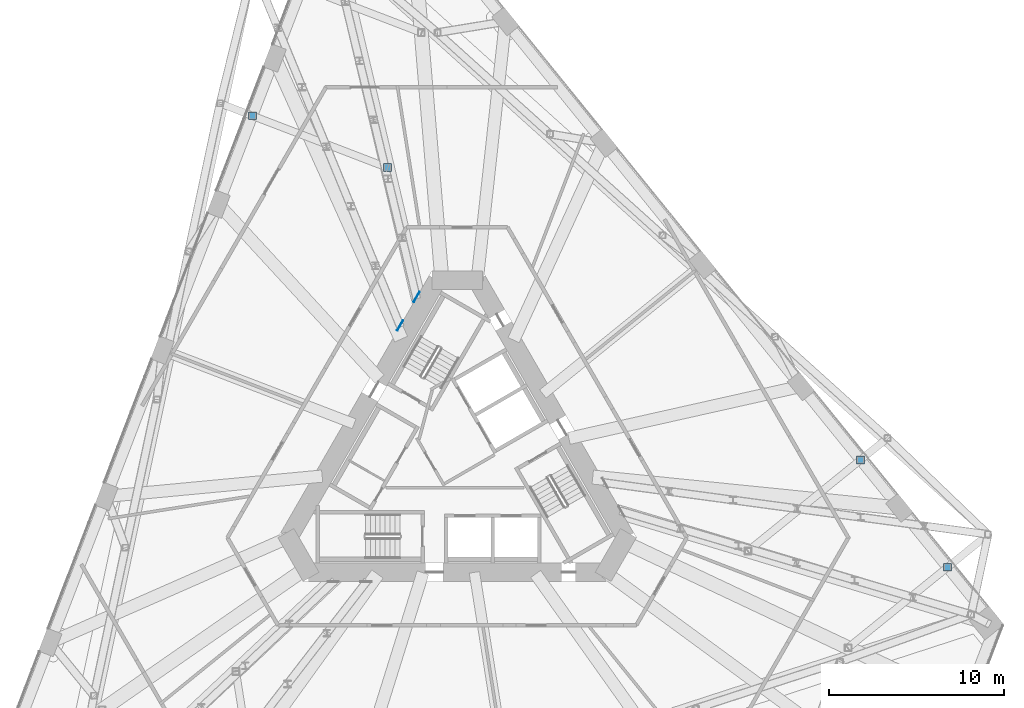
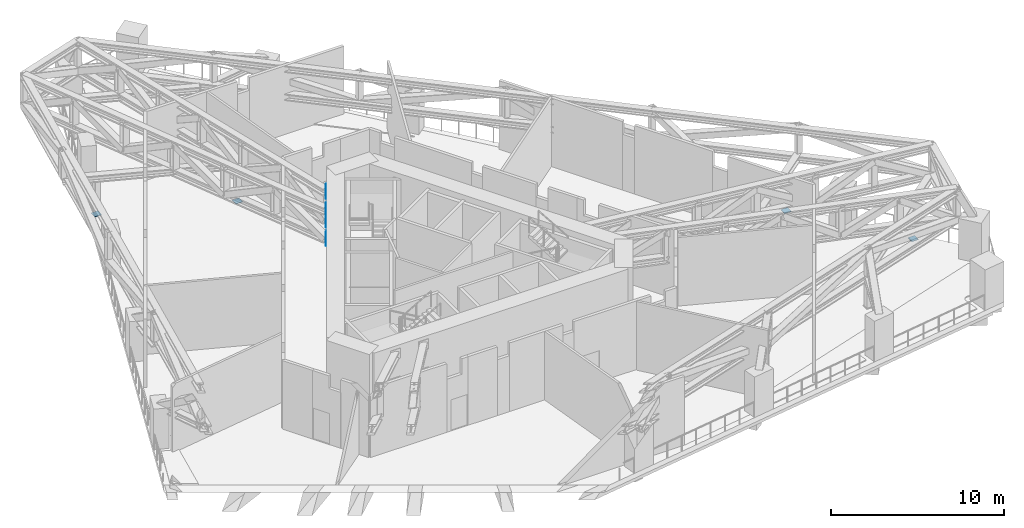
# One storey, part 15 of 20: 8 discrete accessories.
"""IFC4 building model written with IfcOpenShell, lengths in metres."""

from ifc_helpers import new_model, si_unit, direction, frame, origin, origin_2d, place, context, subcontext, project, spatial, rectangle, extrude, material, layer, layer_set, type_object, element, save


model = new_model("IFC4")

# Units and contexts
model_context = context("Model", 3, precision=1e-05, world=origin(), true_north=direction((0.0, 1.0)))
body_context = subcontext(model_context, "Body", "Model", "MODEL_VIEW")
ifc_project = project(units=[si_unit("LENGTHUNIT", "METRE"), si_unit("AREAUNIT", "SQUARE_METRE"), si_unit("VOLUMEUNIT", "CUBIC_METRE"), si_unit("PLANEANGLEUNIT", "RADIAN"), si_unit("MASSUNIT", "GRAM", prefix="KILO")], contexts=[model_context])

# Site, building, storey
site_placement = place(None, origin())
site = spatial("IfcSite", under=ifc_project, at=site_placement, CompositionType="ELEMENT")
building_placement = place(site_placement, origin())
building = spatial("IfcBuilding", under=site, at=building_placement, Name="Tramontana Tower", CompositionType="ELEMENT")
storey_placement = place(building_placement, frame((0.0, 0.0, 83.199951171875)))
storey = spatial("IfcBuildingStorey", under=building, at=storey_placement, Name="L18", CompositionType="ELEMENT", Elevation=83.199951171875)

# Discrete accessories
ifc_material_1 = material(Name="Steel ASTM A572 Grade 50", Category="steel")
ifc_layer_1 = layer(ifc_material_1, 0.0400390625)
ifc_layer_set_1 = layer_set([ifc_layer_1], Name="Base plate 450X450X40")
discrete_accessory_type_1 = type_object("IfcDiscreteAccessoryType", Name="Base plate 450X450X40", PredefinedType="ANCHORPLATE", material=ifc_layer_set_1)
for number, where, z_axis, x_axis, name in (
    (1, (-11.704345703125, 19.87646484375, 0.0), (0.0, 0.0, 1.0), (1.0, 0.0, 0.0), "Transfer truss post base plate C2F01.1"),
    (2, (-3.98095703125, 16.91162109375, 0.0), (0.0, 0.0, 1.0), (1.0, 0.0, 0.0), "Transfer truss post base plate C2F01.2"),
    (3, (23.065673828125, 0.197998046875, 0.0), (0.0, 0.0, 1.0), (1.0, 0.0, 0.0), "Transfer truss post base plate C2F11.1"),
    (4, (28.0380859375, -5.9423828125, 0.0), (0.0, 0.0, 1.0), (1.0, 0.0, 0.0), "Transfer truss post base plate C2K5.1"),
):
    element("IfcDiscreteAccessory", number, at=place(storey_placement, frame(where, z_axis=z_axis, x_axis=x_axis)), inside=storey, type_object=discrete_accessory_type_1, Name=name, PredefinedType="ANCHORPLATE", context=body_context, shape_type="SweptSolid", body=[
        extrude(rectangle(XDim=0.449951171875, YDim=0.449951171875, at=origin_2d()), origin(), (0.0, 0.0, 1.0), 0.0400390625),
    ])
ifc_material_2 = material(Name="Steel ASTM A572 Grade 50", Category="steel")
ifc_layer_2 = layer(ifc_material_2, 0.0400390625)
ifc_layer_set_2 = layer_set([ifc_layer_2], Name="Cast-in plate 650X700X40")
discrete_accessory_type_2 = type_object("IfcDiscreteAccessoryType", Name="Cast-in plate 650X700X40", PredefinedType="ANCHORPLATE", material=ifc_layer_set_2)
for number, where, z_axis, x_axis, name in (
    (5, (-2.32080078125, 9.520263671875, 2.28173828125), (0.0, 0.0, 1.0), (-0.5, -0.866025403784, 0.0), "Cast-in plate Transfer truss 5 bottom chord"),
    (6, (-2.32080078125, 9.520263671875, 4.26806640625), (0.0, 0.0, 1.0), (-0.5, -0.866025403784, 0.0), "Cast-in plate Transfer truss 5 top chord"),
    (7, (-3.262451171875, 7.889404296875, 2.28173828125), (0.0, 0.0, 1.0), (-0.5, -0.866025403784, 0.0), "Cast-in plate Transfer truss 6 bottom chord"),
    (8, (-3.262451171875, 7.889404296875, 4.26806640625), (0.0, 0.0, 1.0), (-0.5, -0.866025403784, 0.0), "Cast-in plate Transfer truss 6 top chord"),
):
    element("IfcDiscreteAccessory", number, at=place(storey_placement, frame(where, z_axis=z_axis, x_axis=x_axis)), inside=storey, type_object=discrete_accessory_type_2, Name=name, PredefinedType="ANCHORPLATE", context=body_context, shape_type="SweptSolid", body=[
        extrude(rectangle(XDim=0.64990234375, YDim=0.0400390625, at=origin_2d()), origin(), (0.0, 0.0, 1.0), 0.699951171875),
    ])

save(model, "model.ifc")
